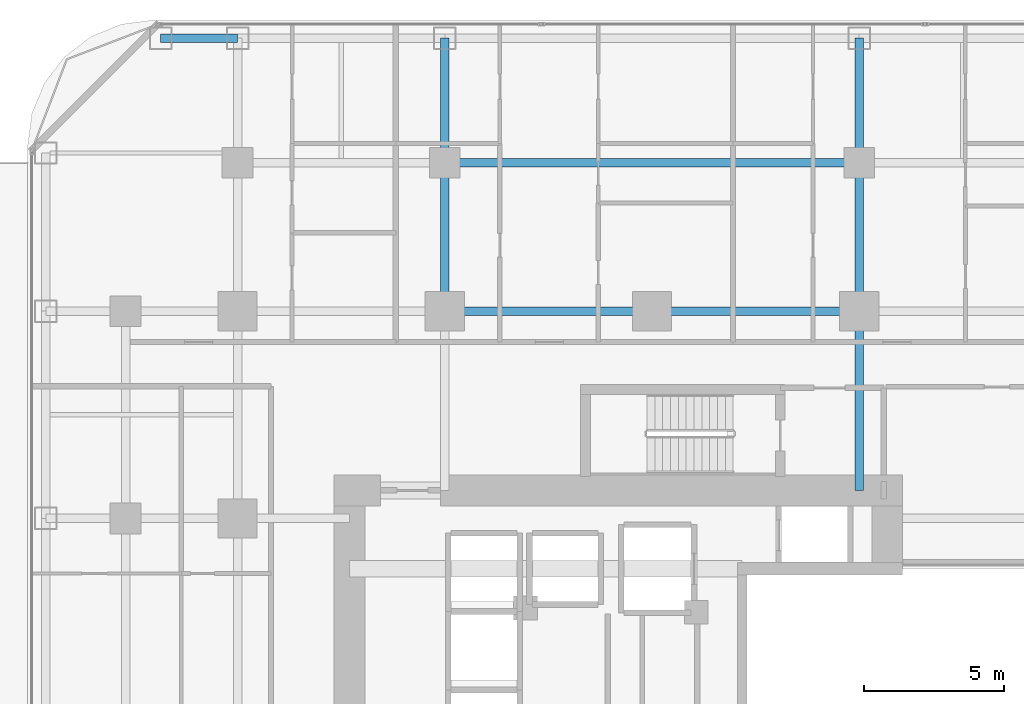
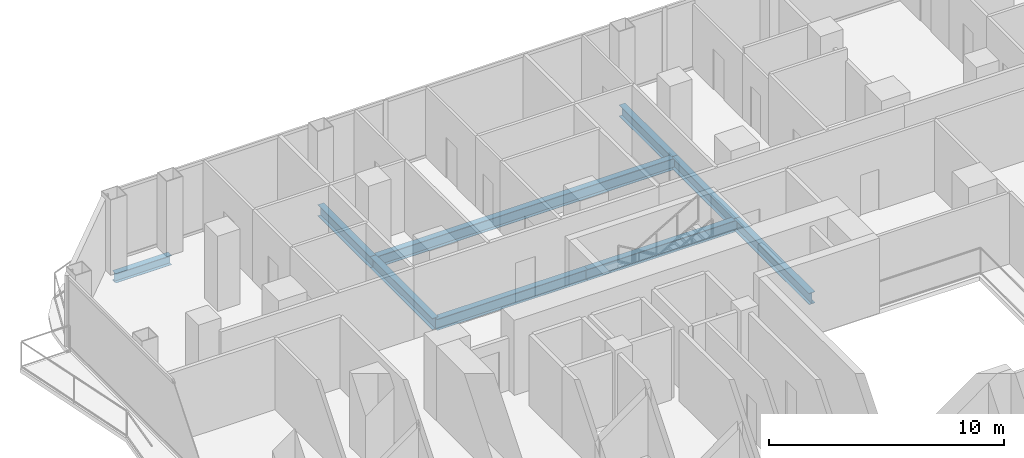
# One storey, part 15 of 27: 9 beams.
"""IFC4 building model written with IfcOpenShell, lengths in metres."""

from ifc_helpers import new_model, si_unit, direction, frame, origin, origin_2d, place, context, subcontext, project, spatial, i_section, extrude, material, material_profile, profile_set, type_object, element, save


model = new_model("IFC4")

# Units and contexts
model_context = context("Model", 3, precision=1e-05, world=origin(), true_north=direction((0.0, 1.0)))
body_context = subcontext(model_context, "Body", "Model", "MODEL_VIEW")
ifc_project = project(units=[si_unit("LENGTHUNIT", "METRE"), si_unit("AREAUNIT", "SQUARE_METRE"), si_unit("VOLUMEUNIT", "CUBIC_METRE"), si_unit("PLANEANGLEUNIT", "RADIAN"), si_unit("MASSUNIT", "GRAM", prefix="KILO")], contexts=[model_context])

# Site, building, storey
site_placement = place(None, origin())
site = spatial("IfcSite", under=ifc_project, at=site_placement, CompositionType="ELEMENT")
building_placement = place(site_placement, origin())
building = spatial("IfcBuilding", under=site, at=building_placement, Name="Khorvyn Point Tower", CompositionType="ELEMENT")
storey_placement = place(building_placement, frame((0.0, 0.0, 42.300048828125)))
storey = spatial("IfcBuildingStorey", under=building, at=storey_placement, Name="L11", CompositionType="ELEMENT", Elevation=42.300048828125)

# Beams
ifc_material = material(Name="Steel S355", Category="steel")
ifc_material_profile_1 = material_profile(ifc_material, i_section(OverallWidth=0.300048828125, OverallDepth=0.587890625, WebThickness=0.011962890625, FlangeThickness=0.02001953125, at=origin_2d()))
ifc_profile_set_1 = profile_set([ifc_material_profile_1], Name="Steel S355 H588x300x12x20")
beam_type_1 = type_object("IfcBeamType", Name="Steel S355 Beam H588x300x12x20", PredefinedType="BEAM", material=ifc_profile_set_1)
for number, where, z_axis, x_axis, name in (
    (1, (-7.39990234375, 14.800048828125, -0.51416015625), (1.0, 0.0, 0.0), (0.0, 1.0, 0.0), "Beam"),
    (2, (0.0, 14.800048828125, -0.51416015625), (1.0, 0.0, 0.0), (0.0, 1.0, 0.0), "Beam"),
):
    element("IfcBeam", number, at=place(storey_placement, frame(where, z_axis=z_axis, x_axis=x_axis)), inside=storey, type_object=beam_type_1, Name=name, PredefinedType="BEAM", context=body_context, shape_type="SweptSolid", body=[
        extrude(i_section(OverallWidth=0.300048828125, OverallDepth=0.587890625, WebThickness=0.011962890625, FlangeThickness=0.02001953125, at=origin_2d()), origin(), (0.0, 0.0, 1.0), 7.39990234375),
    ])
beam_1_placement = place(storey_placement, frame((-7.39990234375, 20.10009765625, -0.51416015625), z_axis=(1.0, 0.0, 0.0), x_axis=(0.0, 1.0, 0.0)))
element("IfcBeam", 3, at=beam_1_placement, inside=storey, type_object=beam_type_1, Name="Beam", PredefinedType="BEAM", context=body_context, shape_type="SweptSolid", body=[
    extrude(i_section(OverallWidth=0.300048828125, OverallDepth=0.587890625, WebThickness=0.011962890625, FlangeThickness=0.02001953125, at=origin_2d()), origin(), (0.0, 0.0, 1.0), 14.7998046875),
])
beam_2_placement = place(storey_placement, frame((-7.39990234375, 14.800048828125, -0.51416015625), z_axis=(0.0, 1.0, 0.0), x_axis=(-1.0, 0.0, 0.0)))
element("IfcBeam", 4, at=beam_2_placement, inside=storey, type_object=beam_type_1, Name="Beam", PredefinedType="BEAM", context=body_context, shape_type="SweptSolid", body=[
    extrude(i_section(OverallWidth=0.300048828125, OverallDepth=0.587890625, WebThickness=0.011962890625, FlangeThickness=0.02001953125, at=origin_2d()), origin(), (0.0, 0.0, 1.0), 5.300048828125),
])
beam_3_placement = place(storey_placement, frame((-7.39990234375, 20.10009765625, -0.51416015625), z_axis=(0.0, 1.0, 0.0), x_axis=(-1.0, 0.0, 0.0)))
element("IfcBeam", 5, at=beam_3_placement, inside=storey, type_object=beam_type_1, Name="Beam", PredefinedType="BEAM", context=body_context, shape_type="SweptSolid", body=[
    extrude(i_section(OverallWidth=0.300048828125, OverallDepth=0.587890625, WebThickness=0.011962890625, FlangeThickness=0.02001953125, at=origin_2d()), origin(), (0.0, 0.0, 1.0), 4.449951171875),
])
beam_4_placement = place(storey_placement, frame((7.39990234375, 8.39990234375, -0.51416015625), z_axis=(0.0, 1.0, 0.0), x_axis=(-1.0, 0.0, 0.0)))
element("IfcBeam", 6, at=beam_4_placement, inside=storey, type_object=beam_type_1, Name="Beam", PredefinedType="BEAM", context=body_context, shape_type="SweptSolid", body=[
    extrude(i_section(OverallWidth=0.300048828125, OverallDepth=0.587890625, WebThickness=0.011962890625, FlangeThickness=0.02001953125, at=origin_2d()), origin(), (0.0, 0.0, 1.0), 6.400146484375),
])
beam_5_placement = place(storey_placement, frame((7.39990234375, 14.800048828125, -0.51416015625), z_axis=(0.0, 1.0, 0.0), x_axis=(-1.0, 0.0, 0.0)))
element("IfcBeam", 7, at=beam_5_placement, inside=storey, type_object=beam_type_1, Name="Beam", PredefinedType="BEAM", context=body_context, shape_type="SweptSolid", body=[
    extrude(i_section(OverallWidth=0.300048828125, OverallDepth=0.587890625, WebThickness=0.011962890625, FlangeThickness=0.02001953125, at=origin_2d()), origin(), (0.0, 0.0, 1.0), 5.300048828125),
])
beam_6_placement = place(storey_placement, frame((7.39990234375, 20.10009765625, -0.51416015625), z_axis=(0.0, 1.0, 0.0), x_axis=(-1.0, 0.0, 0.0)))
element("IfcBeam", 8, at=beam_6_placement, inside=storey, type_object=beam_type_1, Name="Beam", PredefinedType="BEAM", context=body_context, shape_type="SweptSolid", body=[
    extrude(i_section(OverallWidth=0.300048828125, OverallDepth=0.587890625, WebThickness=0.011962890625, FlangeThickness=0.02001953125, at=origin_2d()), origin(), (0.0, 0.0, 1.0), 4.449951171875),
])
ifc_material_profile_2 = material_profile(ifc_material, i_section(OverallWidth=0.300048828125, OverallDepth=0.488037109375, WebThickness=0.010986328125, FlangeThickness=0.01806640625, at=origin_2d()))
ifc_profile_set_2 = profile_set([ifc_material_profile_2], Name="Steel S355 H488x300x11x18")
beam_type_2 = type_object("IfcBeamType", Name="Steel S355 Spandrel H488x300x11x18", PredefinedType="SPANDREL", material=ifc_profile_set_2)
beam_7_placement = place(storey_placement, frame((-17.550048828125, 24.550048828125, -0.464111328125), z_axis=(1.0, 0.0, 0.0), x_axis=(0.0, 1.0, 0.0)))
element("IfcBeam", 9, at=beam_7_placement, inside=storey, type_object=beam_type_2, Name="Beam", PredefinedType="SPANDREL", context=body_context, shape_type="SweptSolid", body=[
    extrude(i_section(OverallWidth=0.300048828125, OverallDepth=0.488037109375, WebThickness=0.010986328125, FlangeThickness=0.01806640625, at=origin_2d()), origin(), (0.0, 0.0, 1.0), 2.75),
])

save(model, "model.ifc")
